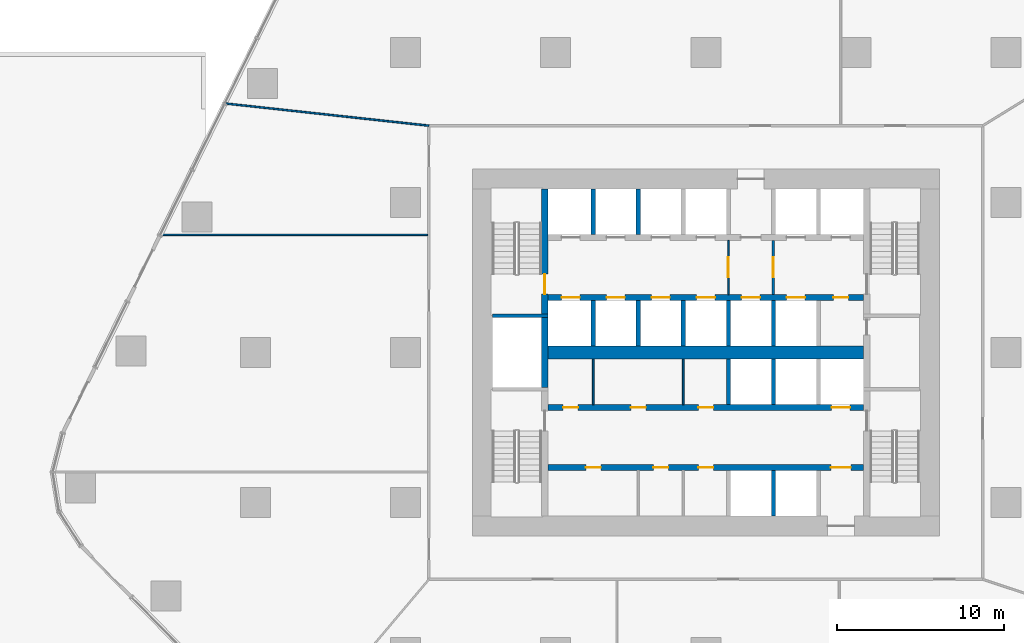
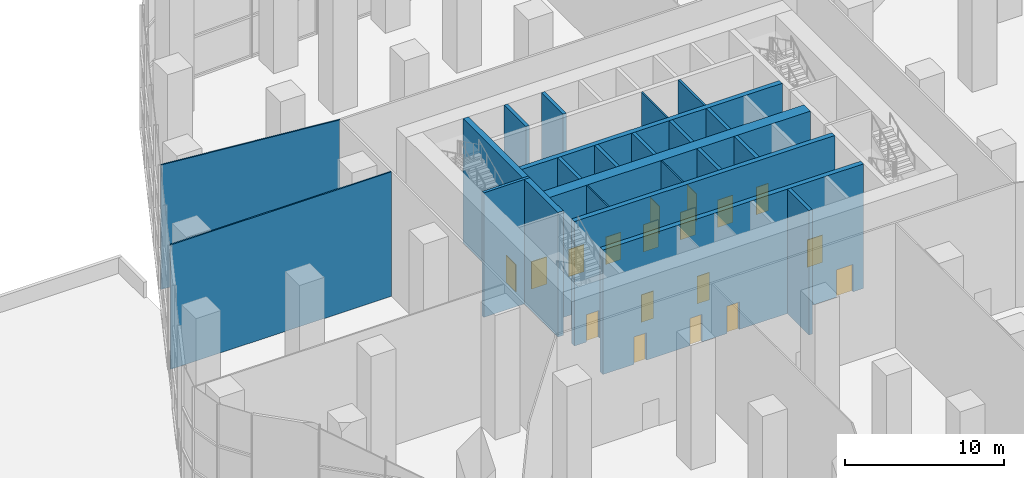
# One storey, part 16 of 21: 23 walls, 18 doors, 18 openings.
"""IFC4 building model written with IfcOpenShell, lengths in metres."""

from ifc_helpers import new_model, si_unit, direction, frame, frame_2d, origin, place, context, subcontext, project, spatial, rectangle, extrude, material, layer, layer_set, type_object, element, fill, save


model = new_model("IFC4")

# Units and contexts
model_context = context("Model", 3, precision=1e-05, world=origin(), true_north=direction((0.0, 1.0)))
body_context = subcontext(model_context, "Body", "Model", "MODEL_VIEW")
ifc_project = project(units=[si_unit("LENGTHUNIT", "METRE"), si_unit("AREAUNIT", "SQUARE_METRE"), si_unit("VOLUMEUNIT", "CUBIC_METRE"), si_unit("PLANEANGLEUNIT", "RADIAN"), si_unit("MASSUNIT", "GRAM", prefix="KILO")], contexts=[model_context])

# Site, building, storey
site_placement = place(None, origin())
site = spatial("IfcSite", under=ifc_project, at=site_placement, CompositionType="ELEMENT")
building_placement = place(site_placement, origin())
building = spatial("IfcBuilding", under=site, at=building_placement, Name="Dongbaek Canopy Tower", CompositionType="ELEMENT")
storey_placement = place(building_placement, frame((0.0, 0.0, 9.0)))
storey = spatial("IfcBuildingStorey", under=building, at=storey_placement, Name="L01", CompositionType="ELEMENT", Elevation=9.0)

# Wall
ifc_material_1 = material(Name="Concrete C60/75", Category="concrete")
ifc_layer_1 = layer(ifc_material_1, 0.800048828125)
ifc_layer_set_1 = layer_set([ifc_layer_1], Name="Core central wall 800 Concrete C60/75")
wall_type_1 = type_object("IfcWallType", Name="Core central wall 800 Concrete C60/75", PredefinedType="SHEAR", material=ifc_layer_set_1)
wall_1_placement = place(storey_placement, frame((-9.449951171875, 0.0, 0.0), z_axis=(0.0, 0.0, 1.0), x_axis=(1.0, 0.0, 0.0)))
element("IfcWall", 1, at=wall_1_placement, inside=storey, type_object=wall_type_1, Name="Core wall", PredefinedType="SHEAR", context=body_context, shape_type="SweptSolid", body=[
    extrude(rectangle(XDim=18.89990234375, YDim=0.800048828125, at=frame_2d((9.449951171875, 0.0))), origin(), (0.0, 0.0, 1.0), 9.550048828125),
])

# Wall, openings, doors
ifc_material_2 = material(Name="Concrete C60/75", Category="concrete")
ifc_layer_2 = layer(ifc_material_2, 0.35009765625)
ifc_layer_set_2 = layer_set([ifc_layer_2], Name="Core lobby wall 350 Concrete C60/75")
wall_type_2 = type_object("IfcWallType", Name="Core lobby wall 350 Concrete C60/75", PredefinedType="SHEAR", material=ifc_layer_set_2)
wall_2_placement = place(storey_placement, frame((9.449951171875, 3.300048828125, 0.0), z_axis=(0.0, 0.0, 1.0), x_axis=(-1.0, 0.0, 0.0)))
wall_2 = element("IfcWall", 2, at=wall_2_placement, inside=storey, type_object=wall_type_2, Name="Core wall", PredefinedType="SHEAR", context=body_context, shape_type="SweptSolid", body=[
    extrude(rectangle(XDim=18.89990234375, YDim=0.35009765625, at=frame_2d((9.449951171875, 0.0))), origin(), (0.0, 0.0, 1.0), 9.550048828125),
])
opening_1_placement = place(wall_2_placement, frame((17.0, 0.0, 0.0)))
opening_1 = element("IfcOpeningElement", 3, at=opening_1_placement, cuts=wall_2, Name="Opening L01-D019", PredefinedType="OPENING", context=body_context, shape_type="SweptSolid", body=[
    extrude(rectangle(XDim=1.10009765625, YDim=2.10009765625, at=frame_2d((0.550048828125, 1.050048828125))), frame((0.0, 0.18505859375, 0.0), z_axis=(0.0, -1.0, 0.0), x_axis=(1.0, 0.0, 0.0)), (0.0, 0.0, 1.0), 0.3701171875),
])
opening_2_placement = place(wall_2_placement, frame((14.300048828125, 0.0, 0.0)))
opening_2 = element("IfcOpeningElement", 4, at=opening_2_placement, cuts=wall_2, Name="Opening L01-D020", PredefinedType="OPENING", context=body_context, shape_type="SweptSolid", body=[
    extrude(rectangle(XDim=1.10009765625, YDim=2.10009765625, at=frame_2d((0.550048828125, 1.050048828125))), frame((0.0, 0.18505859375, 0.0), z_axis=(0.0, -1.0, 0.0), x_axis=(1.0, 0.0, 0.0)), (0.0, 0.0, 1.0), 0.3701171875),
])
opening_3_placement = place(wall_2_placement, frame((11.60009765625, 0.0, 0.0)))
opening_3 = element("IfcOpeningElement", 5, at=opening_3_placement, cuts=wall_2, Name="Opening L01-D021", PredefinedType="OPENING", context=body_context, shape_type="SweptSolid", body=[
    extrude(rectangle(XDim=1.10009765625, YDim=2.10009765625, at=frame_2d((0.550048828125, 1.050048828125))), frame((0.0, 0.18505859375, 0.0), z_axis=(0.0, -1.0, 0.0), x_axis=(1.0, 0.0, 0.0)), (0.0, 0.0, 1.0), 0.3701171875),
])
opening_4_placement = place(wall_2_placement, frame((8.89990234375, 0.0, 0.0)))
opening_4 = element("IfcOpeningElement", 6, at=opening_4_placement, cuts=wall_2, Name="Opening L01-D022", PredefinedType="OPENING", context=body_context, shape_type="SweptSolid", body=[
    extrude(rectangle(XDim=1.10009765625, YDim=2.10009765625, at=frame_2d((0.550048828125, 1.050048828125))), frame((0.0, 0.18505859375, 0.0), z_axis=(0.0, -1.0, 0.0), x_axis=(1.0, 0.0, 0.0)), (0.0, 0.0, 1.0), 0.3701171875),
])
opening_5_placement = place(wall_2_placement, frame((6.199951171875, 0.0, 0.0)))
opening_5 = element("IfcOpeningElement", 7, at=opening_5_placement, cuts=wall_2, Name="Opening L01-D023", PredefinedType="OPENING", context=body_context, shape_type="SweptSolid", body=[
    extrude(rectangle(XDim=1.10009765625, YDim=2.10009765625, at=frame_2d((0.550048828125, 1.050048828125))), frame((0.0, 0.18505859375, 0.0), z_axis=(0.0, -1.0, 0.0), x_axis=(1.0, 0.0, 0.0)), (0.0, 0.0, 1.0), 0.3701171875),
])
opening_6_placement = place(wall_2_placement, frame((3.5, 0.0, 0.0)))
opening_6 = element("IfcOpeningElement", 8, at=opening_6_placement, cuts=wall_2, Name="Opening L01-D024", PredefinedType="OPENING", context=body_context, shape_type="SweptSolid", body=[
    extrude(rectangle(XDim=1.10009765625, YDim=2.10009765625, at=frame_2d((0.550048828125, 1.050048828125))), frame((0.0, 0.18505859375, 0.0), z_axis=(0.0, -1.0, 0.0), x_axis=(1.0, 0.0, 0.0)), (0.0, 0.0, 1.0), 0.3701171875),
])
opening_7_placement = place(wall_2_placement, frame((0.89990234375, 0.0, 0.0)))
opening_7 = element("IfcOpeningElement", 9, at=opening_7_placement, cuts=wall_2, Name="Opening L01-D025", PredefinedType="OPENING", context=body_context, shape_type="SweptSolid", body=[
    extrude(rectangle(XDim=0.89990234375, YDim=2.10009765625, at=frame_2d((0.449951171875, 1.050048828125))), frame((0.0, 0.18505859375, 0.0), z_axis=(0.0, -1.0, 0.0), x_axis=(1.0, 0.0, 0.0)), (0.0, 0.0, 1.0), 0.3701171875),
])
ifc_material_3 = material(Name="Steel", Category="steel")
door_type_1 = type_object("IfcDoorType", Name="Core room door 900 x 2100", OperationType="SINGLE_SWING_LEFT", PredefinedType="DOOR", material=ifc_material_3)
door_1_placement = place(opening_7_placement, origin())
door_1 = element("IfcDoor", 10, at=door_1_placement, inside=storey, type_object=door_type_1, Name="Door L01-D025", OperationType="SINGLE_SWING_LEFT", OverallHeight=2.10009765625, OverallWidth=0.89990234375, PredefinedType="DOOR", context=body_context, shape_type="SweptSolid", body=[
    extrude(rectangle(XDim=0.89990234375, YDim=2.10009765625, at=frame_2d((0.449951171875, 1.050048828125))), frame((0.0, 0.02490234375, 0.0), z_axis=(0.0, -1.0, 0.0), x_axis=(1.0, 0.0, 0.0)), (0.0, 0.0, 1.0), 0.050048828125),
])
fill(opening_7, door_1)
ifc_material_4 = material(Name="Stainless steel", Category="steel")
door_type_2 = type_object("IfcDoorType", Name="Lift landing door 1100 x 2100", OperationType="DOUBLE_DOOR_SLIDING", PredefinedType="DOOR", material=ifc_material_4)
door_2_placement = place(opening_1_placement, origin())
door_2 = element("IfcDoor", 11, at=door_2_placement, inside=storey, type_object=door_type_2, Name="Landing door LR5", OperationType="DOUBLE_DOOR_SLIDING", OverallHeight=2.10009765625, OverallWidth=1.10009765625, PredefinedType="DOOR", context=body_context, shape_type="SweptSolid", body=[
    extrude(rectangle(XDim=1.10009765625, YDim=2.10009765625, at=frame_2d((0.550048828125, 1.050048828125))), frame((0.0, 0.02490234375, 0.0), z_axis=(0.0, -1.0, 0.0), x_axis=(1.0, 0.0, 0.0)), (0.0, 0.0, 1.0), 0.050048828125),
])
fill(opening_1, door_2)
door_3_placement = place(opening_2_placement, origin())
door_3 = element("IfcDoor", 12, at=door_3_placement, inside=storey, type_object=door_type_2, Name="Landing door LR6", OperationType="DOUBLE_DOOR_SLIDING", OverallHeight=2.10009765625, OverallWidth=1.10009765625, PredefinedType="DOOR", context=body_context, shape_type="SweptSolid", body=[
    extrude(rectangle(XDim=1.10009765625, YDim=2.10009765625, at=frame_2d((0.550048828125, 1.050048828125))), frame((0.0, 0.02490234375, 0.0), z_axis=(0.0, -1.0, 0.0), x_axis=(1.0, 0.0, 0.0)), (0.0, 0.0, 1.0), 0.050048828125),
])
fill(opening_2, door_3)
door_4_placement = place(opening_3_placement, origin())
door_4 = element("IfcDoor", 13, at=door_4_placement, inside=storey, type_object=door_type_2, Name="Landing door LR7", OperationType="DOUBLE_DOOR_SLIDING", OverallHeight=2.10009765625, OverallWidth=1.10009765625, PredefinedType="DOOR", context=body_context, shape_type="SweptSolid", body=[
    extrude(rectangle(XDim=1.10009765625, YDim=2.10009765625, at=frame_2d((0.550048828125, 1.050048828125))), frame((0.0, 0.02490234375, 0.0), z_axis=(0.0, -1.0, 0.0), x_axis=(1.0, 0.0, 0.0)), (0.0, 0.0, 1.0), 0.050048828125),
])
fill(opening_3, door_4)
door_5_placement = place(opening_4_placement, origin())
door_5 = element("IfcDoor", 14, at=door_5_placement, inside=storey, type_object=door_type_2, Name="Landing door LR8", OperationType="DOUBLE_DOOR_SLIDING", OverallHeight=2.10009765625, OverallWidth=1.10009765625, PredefinedType="DOOR", context=body_context, shape_type="SweptSolid", body=[
    extrude(rectangle(XDim=1.10009765625, YDim=2.10009765625, at=frame_2d((0.550048828125, 1.050048828125))), frame((0.0, 0.02490234375, 0.0), z_axis=(0.0, -1.0, 0.0), x_axis=(1.0, 0.0, 0.0)), (0.0, 0.0, 1.0), 0.050048828125),
])
fill(opening_4, door_5)
door_6_placement = place(opening_5_placement, origin())
door_6 = element("IfcDoor", 15, at=door_6_placement, inside=storey, type_object=door_type_2, Name="Landing door SV1", OperationType="DOUBLE_DOOR_SLIDING", OverallHeight=2.10009765625, OverallWidth=1.10009765625, PredefinedType="DOOR", context=body_context, shape_type="SweptSolid", body=[
    extrude(rectangle(XDim=1.10009765625, YDim=2.10009765625, at=frame_2d((0.550048828125, 1.050048828125))), frame((0.0, 0.02490234375, 0.0), z_axis=(0.0, -1.0, 0.0), x_axis=(1.0, 0.0, 0.0)), (0.0, 0.0, 1.0), 0.050048828125),
])
fill(opening_5, door_6)
door_7_placement = place(opening_6_placement, origin())
door_7 = element("IfcDoor", 16, at=door_7_placement, inside=storey, type_object=door_type_2, Name="Landing door FF3", OperationType="DOUBLE_DOOR_SLIDING", OverallHeight=2.10009765625, OverallWidth=1.10009765625, PredefinedType="DOOR", context=body_context, shape_type="SweptSolid", body=[
    extrude(rectangle(XDim=1.10009765625, YDim=2.10009765625, at=frame_2d((0.550048828125, 1.050048828125))), frame((0.0, 0.02490234375, 0.0), z_axis=(0.0, -1.0, 0.0), x_axis=(1.0, 0.0, 0.0)), (0.0, 0.0, 1.0), 0.050048828125),
])
fill(opening_6, door_7)

wall_3_placement = place(storey_placement, frame((-9.449951171875, -3.300048828125, 0.0), z_axis=(0.0, 0.0, 1.0), x_axis=(1.0, 0.0, 0.0)))
wall_3 = element("IfcWall", 17, at=wall_3_placement, inside=storey, type_object=wall_type_2, Name="Core wall", PredefinedType="SHEAR", context=body_context, shape_type="SweptSolid", body=[
    extrude(rectangle(XDim=18.89990234375, YDim=0.35009765625, at=frame_2d((9.449951171875, 0.0))), origin(), (0.0, 0.0, 1.0), 9.550048828125),
])
opening_8_placement = place(wall_3_placement, frame((17.0, 0.0, 0.0)))
opening_8 = element("IfcOpeningElement", 18, at=opening_8_placement, cuts=wall_3, Name="Opening L01-D026", PredefinedType="OPENING", context=body_context, shape_type="SweptSolid", body=[
    extrude(rectangle(XDim=1.10009765625, YDim=2.10009765625, at=frame_2d((0.550048828125, 1.050048828125))), frame((0.0, 0.18505859375, 0.0), z_axis=(0.0, -1.0, 0.0), x_axis=(1.0, 0.0, 0.0)), (0.0, 0.0, 1.0), 0.3701171875),
])
opening_9_placement = place(wall_3_placement, frame((0.89990234375, 0.0, 0.0)))
opening_9 = element("IfcOpeningElement", 19, at=opening_9_placement, cuts=wall_3, Name="Opening L01-D029", PredefinedType="OPENING", context=body_context, shape_type="SweptSolid", body=[
    extrude(rectangle(XDim=0.89990234375, YDim=2.10009765625, at=frame_2d((0.449951171875, 1.050048828125))), frame((0.0, 0.18505859375, 0.0), z_axis=(0.0, -1.0, 0.0), x_axis=(1.0, 0.0, 0.0)), (0.0, 0.0, 1.0), 0.3701171875),
])
opening_10_placement = place(wall_3_placement, frame((4.949951171875, 0.0, 0.0)))
opening_10 = element("IfcOpeningElement", 20, at=opening_10_placement, cuts=wall_3, Name="Opening L01-D030", PredefinedType="OPENING", context=body_context, shape_type="SweptSolid", body=[
    extrude(rectangle(XDim=0.89990234375, YDim=2.10009765625, at=frame_2d((0.449951171875, 1.050048828125))), frame((0.0, 0.18505859375, 0.0), z_axis=(0.0, -1.0, 0.0), x_axis=(1.0, 0.0, 0.0)), (0.0, 0.0, 1.0), 0.3701171875),
])
opening_11_placement = place(wall_3_placement, frame((9.0, 0.0, 0.0)))
opening_11 = element("IfcOpeningElement", 21, at=opening_11_placement, cuts=wall_3, Name="Opening L01-D031", PredefinedType="OPENING", context=body_context, shape_type="SweptSolid", body=[
    extrude(rectangle(XDim=0.89990234375, YDim=2.10009765625, at=frame_2d((0.449951171875, 1.050048828125))), frame((0.0, 0.18505859375, 0.0), z_axis=(0.0, -1.0, 0.0), x_axis=(1.0, 0.0, 0.0)), (0.0, 0.0, 1.0), 0.3701171875),
])
door_8_placement = place(opening_9_placement, origin())
door_8 = element("IfcDoor", 22, at=door_8_placement, inside=storey, type_object=door_type_1, Name="Door L01-D029", OperationType="SINGLE_SWING_RIGHT", OverallHeight=2.10009765625, OverallWidth=0.89990234375, PredefinedType="DOOR", context=body_context, shape_type="SweptSolid", body=[
    extrude(rectangle(XDim=0.89990234375, YDim=2.10009765625, at=frame_2d((0.449951171875, 1.050048828125))), frame((0.0, 0.02490234375, 0.0), z_axis=(0.0, -1.0, 0.0), x_axis=(1.0, 0.0, 0.0)), (0.0, 0.0, 1.0), 0.050048828125),
])
fill(opening_9, door_8)
door_9_placement = place(opening_10_placement, origin())
door_9 = element("IfcDoor", 23, at=door_9_placement, inside=storey, type_object=door_type_1, Name="Door L01-D030", OperationType="SINGLE_SWING_LEFT", OverallHeight=2.10009765625, OverallWidth=0.89990234375, PredefinedType="DOOR", context=body_context, shape_type="SweptSolid", body=[
    extrude(rectangle(XDim=0.89990234375, YDim=2.10009765625, at=frame_2d((0.449951171875, 1.050048828125))), frame((0.0, 0.02490234375, 0.0), z_axis=(0.0, -1.0, 0.0), x_axis=(1.0, 0.0, 0.0)), (0.0, 0.0, 1.0), 0.050048828125),
])
fill(opening_10, door_9)
door_10_placement = place(opening_11_placement, origin())
door_10 = element("IfcDoor", 24, at=door_10_placement, inside=storey, type_object=door_type_1, Name="Door L01-D031", OperationType="SINGLE_SWING_RIGHT", OverallHeight=2.10009765625, OverallWidth=0.89990234375, PredefinedType="DOOR", context=body_context, shape_type="SweptSolid", body=[
    extrude(rectangle(XDim=0.89990234375, YDim=2.10009765625, at=frame_2d((0.449951171875, 1.050048828125))), frame((0.0, 0.02490234375, 0.0), z_axis=(0.0, -1.0, 0.0), x_axis=(1.0, 0.0, 0.0)), (0.0, 0.0, 1.0), 0.050048828125),
])
fill(opening_11, door_10)
door_11_placement = place(opening_8_placement, origin())
door_11 = element("IfcDoor", 25, at=door_11_placement, inside=storey, type_object=door_type_2, Name="Landing door SV2", OperationType="DOUBLE_DOOR_SLIDING", OverallHeight=2.10009765625, OverallWidth=1.10009765625, PredefinedType="DOOR", context=body_context, shape_type="SweptSolid", body=[
    extrude(rectangle(XDim=1.10009765625, YDim=2.10009765625, at=frame_2d((0.550048828125, 1.050048828125))), frame((0.0, 0.02490234375, 0.0), z_axis=(0.0, -1.0, 0.0), x_axis=(1.0, 0.0, 0.0)), (0.0, 0.0, 1.0), 0.050048828125),
])
fill(opening_8, door_11)

wall_4_placement = place(storey_placement, frame((9.449951171875, -6.89990234375, 0.0), z_axis=(0.0, 0.0, 1.0), x_axis=(-1.0, 0.0, 0.0)))
wall_4 = element("IfcWall", 26, at=wall_4_placement, inside=storey, type_object=wall_type_2, Name="Core wall", PredefinedType="SHEAR", context=body_context, shape_type="SweptSolid", body=[
    extrude(rectangle(XDim=18.89990234375, YDim=0.35009765625, at=frame_2d((9.449951171875, 0.0))), origin(), (0.0, 0.0, 1.0), 9.550048828125),
])
opening_12_placement = place(wall_4_placement, frame((0.75, 0.0, 0.0)))
opening_12 = element("IfcOpeningElement", 27, at=opening_12_placement, cuts=wall_4, Name="Opening L01-D028", PredefinedType="OPENING", context=body_context, shape_type="SweptSolid", body=[
    extrude(rectangle(XDim=1.199951171875, YDim=2.10009765625, at=frame_2d((0.60009765625, 1.050048828125))), frame((0.0, 0.18505859375, 0.0), z_axis=(0.0, -1.0, 0.0), x_axis=(1.0, 0.0, 0.0)), (0.0, 0.0, 1.0), 0.3701171875),
])
opening_13_placement = place(wall_4_placement, frame((15.75, 0.0, 0.0)))
opening_13 = element("IfcOpeningElement", 28, at=opening_13_placement, cuts=wall_4, Name="Opening L01-D032", PredefinedType="OPENING", context=body_context, shape_type="SweptSolid", body=[
    extrude(rectangle(XDim=0.89990234375, YDim=2.10009765625, at=frame_2d((0.449951171875, 1.050048828125))), frame((0.0, 0.18505859375, 0.0), z_axis=(0.0, -1.0, 0.0), x_axis=(1.0, 0.0, 0.0)), (0.0, 0.0, 1.0), 0.3701171875),
])
opening_14_placement = place(wall_4_placement, frame((11.699951171875, 0.0, 0.0)))
opening_14 = element("IfcOpeningElement", 29, at=opening_14_placement, cuts=wall_4, Name="Opening L01-D033", PredefinedType="OPENING", context=body_context, shape_type="SweptSolid", body=[
    extrude(rectangle(XDim=0.89990234375, YDim=2.10009765625, at=frame_2d((0.449951171875, 1.050048828125))), frame((0.0, 0.18505859375, 0.0), z_axis=(0.0, -1.0, 0.0), x_axis=(1.0, 0.0, 0.0)), (0.0, 0.0, 1.0), 0.3701171875),
])
opening_15_placement = place(wall_4_placement, frame((9.0, 0.0, 0.0)))
opening_15 = element("IfcOpeningElement", 30, at=opening_15_placement, cuts=wall_4, Name="Opening L01-D034", PredefinedType="OPENING", context=body_context, shape_type="SweptSolid", body=[
    extrude(rectangle(XDim=0.89990234375, YDim=2.10009765625, at=frame_2d((0.449951171875, 1.050048828125))), frame((0.0, 0.18505859375, 0.0), z_axis=(0.0, -1.0, 0.0), x_axis=(1.0, 0.0, 0.0)), (0.0, 0.0, 1.0), 0.3701171875),
])
door_12_placement = place(opening_13_placement, origin())
door_12 = element("IfcDoor", 31, at=door_12_placement, inside=storey, type_object=door_type_1, Name="Door L01-D032", OperationType="SINGLE_SWING_LEFT", OverallHeight=2.10009765625, OverallWidth=0.89990234375, PredefinedType="DOOR", context=body_context, shape_type="SweptSolid", body=[
    extrude(rectangle(XDim=0.89990234375, YDim=2.10009765625, at=frame_2d((0.449951171875, 1.050048828125))), frame((0.0, 0.02490234375, 0.0), z_axis=(0.0, -1.0, 0.0), x_axis=(1.0, 0.0, 0.0)), (0.0, 0.0, 1.0), 0.050048828125),
])
fill(opening_13, door_12)
door_13_placement = place(opening_14_placement, origin())
door_13 = element("IfcDoor", 32, at=door_13_placement, inside=storey, type_object=door_type_1, Name="Door L01-D033", OperationType="SINGLE_SWING_RIGHT", OverallHeight=2.10009765625, OverallWidth=0.89990234375, PredefinedType="DOOR", context=body_context, shape_type="SweptSolid", body=[
    extrude(rectangle(XDim=0.89990234375, YDim=2.10009765625, at=frame_2d((0.449951171875, 1.050048828125))), frame((0.0, 0.02490234375, 0.0), z_axis=(0.0, -1.0, 0.0), x_axis=(1.0, 0.0, 0.0)), (0.0, 0.0, 1.0), 0.050048828125),
])
fill(opening_14, door_13)
door_14_placement = place(opening_15_placement, origin())
door_14 = element("IfcDoor", 33, at=door_14_placement, inside=storey, type_object=door_type_1, Name="Door L01-D034", OperationType="SINGLE_SWING_LEFT", OverallHeight=2.10009765625, OverallWidth=0.89990234375, PredefinedType="DOOR", context=body_context, shape_type="SweptSolid", body=[
    extrude(rectangle(XDim=0.89990234375, YDim=2.10009765625, at=frame_2d((0.449951171875, 1.050048828125))), frame((0.0, 0.02490234375, 0.0), z_axis=(0.0, -1.0, 0.0), x_axis=(1.0, 0.0, 0.0)), (0.0, 0.0, 1.0), 0.050048828125),
])
fill(opening_15, door_14)
ifc_material_5 = material(Name="Steel", Category="steel")
door_type_3 = type_object("IfcDoorType", Name="Fire lobby door 1200 x 2100", OperationType="SINGLE_SWING_LEFT", PredefinedType="DOOR", material=ifc_material_5)
door_15_placement = place(opening_12_placement, origin())
door_15 = element("IfcDoor", 34, at=door_15_placement, inside=storey, type_object=door_type_3, Name="Door L01-D028", OperationType="SINGLE_SWING_LEFT", OverallHeight=2.10009765625, OverallWidth=1.199951171875, PredefinedType="DOOR", context=body_context, shape_type="SweptSolid", body=[
    extrude(rectangle(XDim=1.199951171875, YDim=2.10009765625, at=frame_2d((0.60009765625, 1.050048828125))), frame((0.0, 0.02490234375, 0.0), z_axis=(0.0, -1.0, 0.0), x_axis=(1.0, 0.0, 0.0)), (0.0, 0.0, 1.0), 0.050048828125),
])
fill(opening_12, door_15)

# Wall, opening, door
ifc_material_6 = material(Name="Gypsum board partition, steel stud, 2 x 15 mm fire board", Category="steel")
ifc_layer_3 = layer(ifc_material_6, 0.14990234375)
ifc_layer_set_3 = layer_set([ifc_layer_3], Name="Fire-rated partition 150 gypsum board")
wall_type_3 = type_object("IfcWallType", Name="Fire-rated partition 150 gypsum board", PredefinedType="PARTITIONING", material=ifc_layer_set_3)
wall_5_placement = place(storey_placement, frame((4.050048828125, 6.72509765625, 0.0), z_axis=(0.0, 0.0, 1.0), x_axis=(0.0, -1.0, 0.0)))
wall_5 = element("IfcWall", 35, at=wall_5_placement, inside=storey, type_object=wall_type_3, Name="Fire lobby partition", PredefinedType="PARTITIONING", context=body_context, shape_type="SweptSolid", body=[
    extrude(rectangle(XDim=3.25, YDim=0.14990234375, at=frame_2d((1.625, 0.0))), origin(), (0.0, 0.0, 1.0), 9.550048828125),
])
opening_16_placement = place(wall_5_placement, frame((1.02490234375, 0.0, 0.0)))
opening_16 = element("IfcOpeningElement", 36, at=opening_16_placement, cuts=wall_5, Name="Opening L01-D040", PredefinedType="OPENING", context=body_context, shape_type="SweptSolid", body=[
    extrude(rectangle(XDim=1.199951171875, YDim=2.10009765625, at=frame_2d((0.60009765625, 1.050048828125))), frame((0.0, 0.0849609375, 0.0), z_axis=(0.0, -1.0, 0.0), x_axis=(1.0, 0.0, 0.0)), (0.0, 0.0, 1.0), 0.169921875),
])
door_16_placement = place(opening_16_placement, origin())
door_16 = element("IfcDoor", 37, at=door_16_placement, inside=storey, type_object=door_type_3, Name="Door L01-D040", OperationType="SINGLE_SWING_RIGHT", OverallHeight=2.10009765625, OverallWidth=1.199951171875, PredefinedType="DOOR", context=body_context, shape_type="SweptSolid", body=[
    extrude(rectangle(XDim=1.199951171875, YDim=2.10009765625, at=frame_2d((0.60009765625, 1.050048828125))), frame((0.0, 0.02490234375, 0.0), z_axis=(0.0, -1.0, 0.0), x_axis=(1.0, 0.0, 0.0)), (0.0, 0.0, 1.0), 0.050048828125),
])
fill(opening_16, door_16)

# Walls
ifc_material_7 = material(Name="Concrete C40/50", Category="concrete")
ifc_layer_4 = layer(ifc_material_7, 0.25)
ifc_layer_set_4 = layer_set([ifc_layer_4], Name="Lift shaft wall 250 Concrete C40/50")
wall_type_4 = type_object("IfcWallType", Name="Lift shaft wall 250 Concrete C40/50", PredefinedType="SOLIDWALL", material=ifc_layer_set_4)
for number, where, z_axis, x_axis, name in (
    (38, (4.050048828125, -9.800048828125, 0.0), (0.0, 0.0, 1.0), (0.0, 1.0, 0.0), "Lift shaft wall"),
    (39, (4.050048828125, -3.125, 0.0), (0.0, 0.0, 1.0), (0.0, 1.0, 0.0), "Lift shaft wall"),
    (40, (4.050048828125, 0.39990234375, 0.0), (0.0, 0.0, 1.0), (0.0, 1.0, 0.0), "Lift shaft wall"),
    (41, (1.35009765625, -3.125, 0.0), (0.0, 0.0, 1.0), (0.0, 1.0, 0.0), "Lift shaft wall"),
    (42, (1.35009765625, 0.39990234375, 0.0), (0.0, 0.0, 1.0), (0.0, 1.0, 0.0), "Lift shaft wall"),
    (43, (-1.35009765625, 0.39990234375, 0.0), (0.0, 0.0, 1.0), (0.0, 1.0, 0.0), "Lift shaft wall"),
    (44, (-4.050048828125, 0.39990234375, 0.0), (0.0, 0.0, 1.0), (0.0, 1.0, 0.0), "Lift shaft wall"),
    (45, (-4.050048828125, 7.074951171875, 0.0), (0.0, 0.0, 1.0), (0.0, 1.0, 0.0), "Lift shaft wall"),
    (46, (-6.75, 0.39990234375, 0.0), (0.0, 0.0, 1.0), (0.0, 1.0, 0.0), "Lift shaft wall"),
    (47, (-6.75, 7.074951171875, 0.0), (0.0, 0.0, 1.0), (0.0, 1.0, 0.0), "Lift shaft wall"),
):
    element("IfcWall", number, at=place(storey_placement, frame(where, z_axis=z_axis, x_axis=x_axis)), inside=storey, type_object=wall_type_4, Name=name, PredefinedType="SOLIDWALL", context=body_context, shape_type="SweptSolid", body=[
        extrude(rectangle(XDim=2.72509765625, YDim=0.25, at=frame_2d((1.362548828125, 0.0))), origin(), (0.0, 0.0, 1.0), 9.550048828125),
    ])
ifc_material_8 = material(Name="Gypsum board partition, steel stud, 2 x 12.5 mm board", Category="steel")
ifc_layer_5 = layer(ifc_material_8, 0.10009765625)
ifc_layer_set_5 = layer_set([ifc_layer_5], Name="Partition 100 gypsum board")
wall_type_5 = type_object("IfcWallType", Name="Partition 100 gypsum board", PredefinedType="PARTITIONING", material=ifc_layer_set_5)
wall_6_placement = place(storey_placement, frame((-32.6953125, 7.051025390625, 0.0), z_axis=(0.0, 0.0, 1.0), x_axis=(1.0, 0.0, 0.0)))
element("IfcWall", 48, at=wall_6_placement, inside=storey, type_object=wall_type_5, Name="Partition", PredefinedType="PARTITIONING", context=body_context, shape_type="SweptSolid", body=[
    extrude(rectangle(XDim=16.020263671875, YDim=0.10009765625, at=frame_2d((8.01025390625, 0.0))), origin(), (0.0, 0.0, 1.0), 9.550048828125),
])
wall_7_placement = place(storey_placement, frame((-28.819091796875, 14.931396484375, 0.0), z_axis=(0.0, 0.0, 1.0), x_axis=(0.994112645196, -0.108351505116, 0.0)))
element("IfcWall", 49, at=wall_7_placement, inside=storey, type_object=wall_type_5, Name="Partition", PredefinedType="PARTITIONING", context=body_context, shape_type="SweptSolid", body=[
    extrude(rectangle(XDim=12.291259765625, YDim=0.10009765625, at=frame_2d((6.1455078125, 0.0))), origin(), (0.0, 0.0, 1.0), 9.550048828125),
])

# Wall, opening, door
wall_8_placement = place(storey_placement, frame((1.35009765625, 6.72509765625, 0.0), z_axis=(0.0, 0.0, 1.0), x_axis=(0.0, -1.0, 0.0)))
wall_8 = element("IfcWall", 50, at=wall_8_placement, inside=storey, type_object=wall_type_5, Name="Core partition", PredefinedType="PARTITIONING", context=body_context, shape_type="SweptSolid", body=[
    extrude(rectangle(XDim=3.25, YDim=0.10009765625, at=frame_2d((1.625, 0.0))), origin(), (0.0, 0.0, 1.0), 9.550048828125),
])
opening_17_placement = place(wall_8_placement, frame((1.02490234375, 0.0, 0.0)))
opening_17 = element("IfcOpeningElement", 51, at=opening_17_placement, cuts=wall_8, Name="Opening L01-D039", PredefinedType="OPENING", context=body_context, shape_type="SweptSolid", body=[
    extrude(rectangle(XDim=1.199951171875, YDim=2.10009765625, at=frame_2d((0.60009765625, 1.050048828125))), frame((0.0, 0.06005859375, 0.0), z_axis=(0.0, -1.0, 0.0), x_axis=(1.0, 0.0, 0.0)), (0.0, 0.0, 1.0), 0.1201171875),
])
door_17_placement = place(opening_17_placement, origin())
door_17 = element("IfcDoor", 52, at=door_17_placement, inside=storey, type_object=door_type_3, Name="Door L01-D039", OperationType="SINGLE_SWING_LEFT", OverallHeight=2.10009765625, OverallWidth=1.199951171875, PredefinedType="DOOR", context=body_context, shape_type="SweptSolid", body=[
    extrude(rectangle(XDim=1.199951171875, YDim=2.10009765625, at=frame_2d((0.60009765625, 1.050048828125))), frame((0.0, 0.02490234375, 0.0), z_axis=(0.0, -1.0, 0.0), x_axis=(1.0, 0.0, 0.0)), (0.0, 0.0, 1.0), 0.050048828125),
])
fill(opening_17, door_17)

# Walls
for number, where, z_axis, x_axis, name in (
    (53, (-1.35009765625, -3.125, 0.0), (0.0, 0.0, 1.0), (0.0, 1.0, 0.0), "Core partition"),
    (54, (-6.75, -3.125, 0.0), (0.0, 0.0, 1.0), (0.0, 1.0, 0.0), "Core partition"),
):
    element("IfcWall", number, at=place(storey_placement, frame(where, z_axis=z_axis, x_axis=x_axis)), inside=storey, type_object=wall_type_5, Name=name, PredefinedType="PARTITIONING", context=body_context, shape_type="SweptSolid", body=[
        extrude(rectangle(XDim=2.72509765625, YDim=0.10009765625, at=frame_2d((1.362548828125, 0.0))), origin(), (0.0, 0.0, 1.0), 9.550048828125),
    ])
ifc_material_9 = material(Name="Concrete C60/75", Category="concrete")
ifc_layer_6 = layer(ifc_material_9, 0.199951171875)
ifc_layer_set_6 = layer_set([ifc_layer_6], Name="Riser wall 200 Concrete C60/75")
wall_type_6 = type_object("IfcWallType", Name="Riser wall 200 Concrete C60/75", PredefinedType="SHEAR", material=ifc_layer_set_6)
wall_9_placement = place(storey_placement, frame((-9.449951171875, 2.199951171875, 0.0), z_axis=(0.0, 0.0, 1.0), x_axis=(-1.0, 0.0, 0.0)))
element("IfcWall", 55, at=wall_9_placement, inside=storey, type_object=wall_type_6, Name="Riser wall", PredefinedType="SHEAR", context=body_context, shape_type="SweptSolid", body=[
    extrude(rectangle(XDim=3.35009765625, YDim=0.199951171875, at=frame_2d((1.675048828125, 0.0))), origin(), (0.0, 0.0, 1.0), 9.550048828125),
])
ifc_material_10 = material(Name="Concrete C60/75", Category="concrete")
ifc_layer_7 = layer(ifc_material_10, 0.39990234375)
ifc_layer_set_7 = layer_set([ifc_layer_7], Name="Stair wall 400 Concrete C60/75")
wall_type_7 = type_object("IfcWallType", Name="Stair wall 400 Concrete C60/75", PredefinedType="SHEAR", material=ifc_layer_set_7)
wall_10_placement = place(storey_placement, frame((-9.64990234375, -2.10009765625, 0.0), z_axis=(0.0, 0.0, 1.0), x_axis=(0.0, 1.0, 0.0)))
element("IfcWall", 56, at=wall_10_placement, inside=storey, type_object=wall_type_7, Name="Stair wall", PredefinedType="SHEAR", context=body_context, shape_type="SweptSolid", body=[
    extrude(rectangle(XDim=4.2001953125, YDim=0.39990234375, at=frame_2d((2.10009765625, 0.0))), origin(), (0.0, 0.0, 1.0), 9.550048828125),
])

# Wall, opening, door
wall_11_placement = place(storey_placement, frame((-9.64990234375, 2.300048828125, 0.0), z_axis=(0.0, 0.0, 1.0), x_axis=(0.0, 1.0, 0.0)))
wall_11 = element("IfcWall", 57, at=wall_11_placement, inside=storey, type_object=wall_type_7, Name="Stair wall", PredefinedType="SHEAR", context=body_context, shape_type="SweptSolid", body=[
    extrude(rectangle(XDim=7.5, YDim=0.39990234375, at=frame_2d((3.75, 0.0))), origin(), (0.0, 0.0, 1.0), 9.550048828125),
])
opening_18_placement = place(wall_11_placement, frame((1.199951171875, 0.0, 0.0)))
opening_18 = element("IfcOpeningElement", 58, at=opening_18_placement, cuts=wall_11, Name="Opening L01-D036", PredefinedType="OPENING", context=body_context, shape_type="SweptSolid", body=[
    extrude(rectangle(XDim=1.199951171875, YDim=2.10009765625, at=frame_2d((0.60009765625, 1.050048828125))), frame((0.0, 0.2099609375, 0.0), z_axis=(0.0, -1.0, 0.0), x_axis=(1.0, 0.0, 0.0)), (0.0, 0.0, 1.0), 0.419921875),
])
ifc_material_11 = material(Name="Steel", Category="steel")
door_type_4 = type_object("IfcDoorType", Name="Stair door 1200 x 2100", OperationType="SINGLE_SWING_LEFT", PredefinedType="DOOR", material=ifc_material_11)
door_18_placement = place(opening_18_placement, origin())
door_18 = element("IfcDoor", 59, at=door_18_placement, inside=storey, type_object=door_type_4, Name="Stair C door", OperationType="SINGLE_SWING_RIGHT", OverallHeight=2.10009765625, OverallWidth=1.199951171875, PredefinedType="DOOR", context=body_context, shape_type="SweptSolid", body=[
    extrude(rectangle(XDim=1.199951171875, YDim=2.10009765625, at=frame_2d((0.60009765625, 1.050048828125))), frame((0.0, 0.02490234375, 0.0), z_axis=(0.0, -1.0, 0.0), x_axis=(1.0, 0.0, 0.0)), (0.0, 0.0, 1.0), 0.050048828125),
])
fill(opening_18, door_18)

save(model, "model.ifc")
